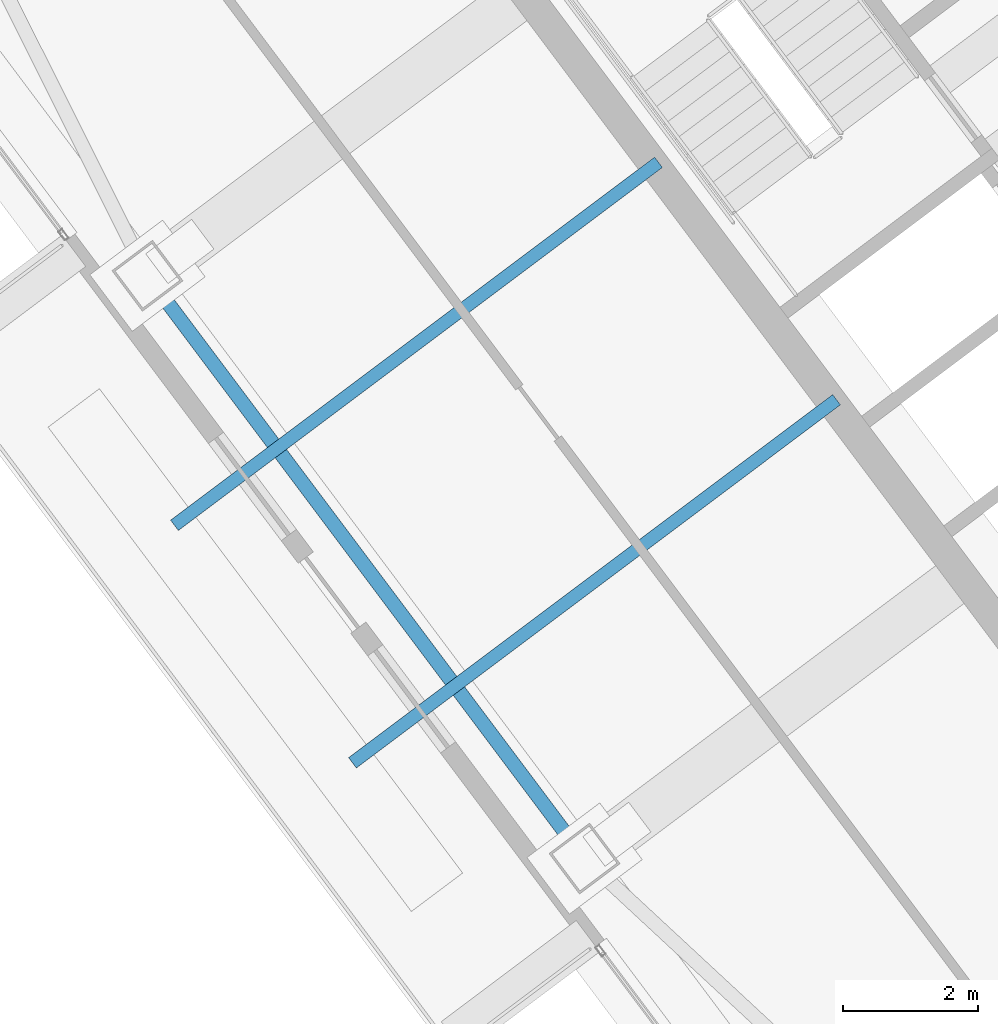
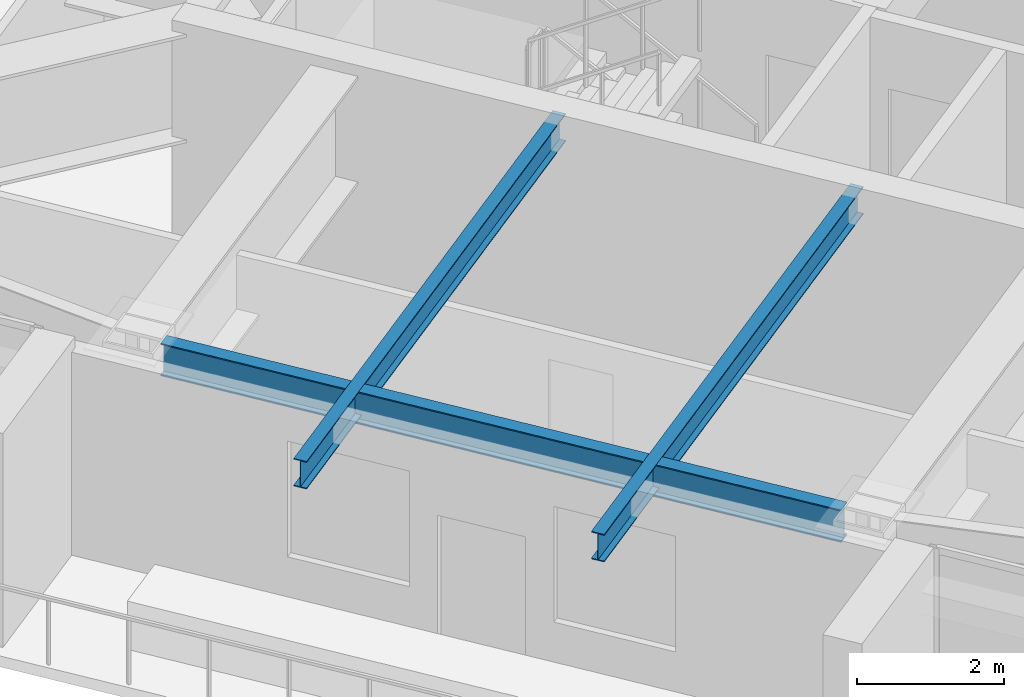
# One storey, part 16 of 40: 3 beams.
"""IFC4 building model written with IfcOpenShell, lengths in metres."""

import ifcopenshell
import ifcopenshell.guid

model = None  # the IFC model being written
_history = None  # IfcOwnerHistory: only IFC2X3 demands one
_inside = {}  # id of a spatial element -> (the spatial element, [elements in it])
_under = {}  # id of a project, library or spatial element -> (it, [spatial elements below it])
_declared = {}  # id of a project -> (the project, [libraries it declares])
_typed = {}  # id of a type object -> (the type object, [elements of that type])
_made_of = {}  # id of a material, layer set ... -> (it, [elements and type objects made of it])


def new_model(schema):
    """Start an empty IFC model of exactly this schema.

    Asked for "IFC4X3", IfcOpenShell would pick the latest addendum, in which some entities
    have other attributes; the version numbers below select the first issue.
    IFC2X3 requires an IfcOwnerHistory on every rooted entity: one is made here for all.
    """
    global model, _history
    if schema == "IFC4X3":
        model = ifcopenshell.file(schema_version=(4, 3, 0, 0))
    else:
        model = ifcopenshell.file(schema=schema)
    _inside.clear()
    _under.clear()
    _declared.clear()
    _typed.clear()
    _made_of.clear()
    _history = None
    if model.schema == "IFC2X3":
        org = make("IfcOrganization", Name="unknown")
        user = make(
            "IfcPersonAndOrganization",
            ThePerson=make("IfcPerson", FamilyName="unknown"),
            TheOrganization=org,
        )
        app = make(
            "IfcApplication",
            ApplicationDeveloper=org,
            Version="unknown",
            ApplicationFullName="unknown",
            ApplicationIdentifier="unknown",
        )
        _history = make(
            "IfcOwnerHistory",
            OwningUser=user,
            OwningApplication=app,
            ChangeAction="ADDED",
            CreationDate=0,
        )
    return model


def make(cls, **values):
    """One entity of the class cls with the attributes given. An attribute that is None is left unset."""
    return model.create_entity(
        cls, **{name: value for name, value in values.items() if value is not None}
    )


def rooted(cls, **values):
    """An entity with a GlobalId (a new one), such as an element, a storey or a relation."""
    return make(cls, GlobalId=ifcopenshell.guid.new(), OwnerHistory=_history, **values)


def si_unit(unit_type, name, prefix=None):
    """IfcSIUnit, for example si_unit("LENGTHUNIT", "METRE", prefix="MILLI")."""
    return make("IfcSIUnit", UnitType=unit_type, Prefix=prefix, Name=name)


def assignment(units):
    """IfcUnitAssignment: the units of a project."""
    return None if units is None else make("IfcUnitAssignment", Units=units)


def point(xyz):
    """IfcCartesianPoint."""
    return None if xyz is None else make("IfcCartesianPoint", Coordinates=xyz)


def direction(xyz):
    """IfcDirection."""
    return None if xyz is None else make("IfcDirection", DirectionRatios=xyz)


def frame(location, z_axis=None, x_axis=None):
    """IfcAxis2Placement3D, a coordinate frame: its origin and axes. An axis left out is left unset."""
    return make(
        "IfcAxis2Placement3D",
        Location=point(location),
        Axis=direction(z_axis),
        RefDirection=direction(x_axis),
    )


def frame_2d(location, x_axis=None):
    """IfcAxis2Placement2D, a coordinate frame in the plane: its origin and x axis."""
    return make(
        "IfcAxis2Placement2D", Location=point(location), RefDirection=direction(x_axis)
    )


def origin():
    """The frame at (0, 0, 0) with its axes left unset."""
    return frame((0.0, 0.0, 0.0))


def origin_2d():
    """The frame at (0, 0) in the plane with its x axis left unset."""
    return frame_2d((0.0, 0.0))


def place(relative_to, where):
    """IfcLocalPlacement: puts the frame where relative to a parent placement (None: the world)."""
    return make(
        "IfcLocalPlacement", PlacementRelTo=relative_to, RelativePlacement=where
    )


def context(
    kind, dimensions, precision=None, world=None, true_north=None, identifier=None
):
    """IfcGeometricRepresentationContext, for example the 3D "Model" context."""
    return make(
        "IfcGeometricRepresentationContext",
        ContextIdentifier=identifier,
        ContextType=kind,
        CoordinateSpaceDimension=dimensions,
        Precision=precision,
        WorldCoordinateSystem=world,
        TrueNorth=true_north,
    )


def subcontext(parent, identifier, kind, view, scale=None):
    """IfcGeometricRepresentationSubContext, for example "Body" below "Model"."""
    return make(
        "IfcGeometricRepresentationSubContext",
        ContextIdentifier=identifier,
        ContextType=kind,
        ParentContext=parent,
        TargetScale=scale,
        TargetView=view,
    )


def project(units=None, contexts=None):
    """IfcProject with its units and contexts."""
    return rooted(
        "IfcProject",
        Name="project",
        RepresentationContexts=contexts,
        UnitsInContext=assignment(units),
    )


def spatial(cls, under=None, at=None, **own):
    """A site, building, storey or space (cls), placed at a placement, below another one or the project."""
    s = rooted(cls, ObjectPlacement=at, **own)
    if under is not None:
        _under.setdefault(under.id(), (under, []))[1].append(s)
    return s


def profile(cls, at=None, kind="AREA", **sizes):
    """A parametric profile (cls). Its sizes go by their IFC names, for example OverallWidth=200.0."""
    return make(cls, ProfileType=kind, Position=at, **sizes)


def i_section(**sizes):
    """IfcIShapeProfileDef."""
    return profile("IfcIShapeProfileDef", **sizes)


def extrude(swept, where, along, depth):
    """IfcExtrudedAreaSolid: the profile swept, set in the frame where, extruded along a direction by depth."""
    return make(
        "IfcExtrudedAreaSolid",
        SweptArea=swept,
        Position=where,
        ExtrudedDirection=direction(along),
        Depth=depth,
    )


def shape(context_of_items, identifier, shape_type, items):
    """IfcShapeRepresentation: the items that make up one representation, for example the "Body"."""
    return make(
        "IfcShapeRepresentation",
        ContextOfItems=context_of_items,
        RepresentationIdentifier=identifier,
        RepresentationType=shape_type,
        Items=items,
    )


def material(Name=None, Category=None):
    """IfcMaterial."""
    return make("IfcMaterial", Name=Name, Category=Category)


def material_profile(
    of_material, cross_section, Name=None, Category=None, Priority=None
):
    """IfcMaterialProfile: a cross section and its material."""
    return make(
        "IfcMaterialProfile",
        Name=Name,
        Material=of_material,
        Profile=cross_section,
        Priority=Priority,
        Category=Category,
    )


def profile_set(profiles, Name=None, composite=None):
    """IfcMaterialProfileSet."""
    return make(
        "IfcMaterialProfileSet",
        Name=Name,
        MaterialProfiles=profiles,
        CompositeProfile=composite,
    )


def made_of(thing, what):
    """Note that an element or type object is made of a material, layer set ...; save() writes the relation."""
    if what is not None:
        _made_of.setdefault(what.id(), (what, []))[1].append(thing)
    return thing


def type_object(cls, material=None, **own):
    """A type object (cls), such as IfcWallType, which elements share."""
    return made_of(rooted(cls, **own), material)


def element(
    cls,
    number,
    at=None,
    inside=None,
    cuts=None,
    type_object=None,
    material=None,
    context=None,
    identifier="Body",
    shape_type=None,
    held_by="IfcProductDefinitionShape",
    body=None,
    shapes=None,
    **own,
):
    """One element of the class cls, such as IfcWall. Its Tag is "e" and its number.

    at: its placement. inside: the storey or other place that contains it. cuts: it is an
    opening in that element (IfcRelVoidsElement). A single representation is given by context,
    identifier, shape_type and body (its items); several are given by shapes. held_by: the class
    of the entity that holds the representations. save() writes the other relations.
    """
    e = rooted(cls, Tag="e%d" % number, ObjectPlacement=at, **own)
    if body is not None:
        shapes = [shape(context, identifier, shape_type, body)]
    if shapes is not None:
        e.Representation = make(held_by, Representations=shapes)
    if inside is not None:
        _inside.setdefault(inside.id(), (inside, []))[1].append(e)
    if cuts is not None:
        rooted(
            "IfcRelVoidsElement", RelatingBuildingElement=cuts, RelatedOpeningElement=e
        )
    if type_object is not None:
        _typed.setdefault(type_object.id(), (type_object, []))[1].append(e)
    return made_of(e, material)


def aggregate(whole, parts):
    """IfcRelAggregates: a whole, such as a stair, and the parts it consists of."""
    return rooted("IfcRelAggregates", RelatingObject=whole, RelatedObjects=parts)


def save(model, path):
    """Write the relations noted so far, then the file.

    IfcRelAggregates (storeys below a building ...), IfcRelContainedInSpatialStructure (elements
    in a storey), IfcRelDefinesByType, IfcRelAssociatesMaterial and IfcRelDeclares: one each for
    every whole, place, type object, material and project.
    """
    for whole, parts in _under.values():
        aggregate(whole, parts)
    for where, things in _inside.values():
        rooted(
            "IfcRelContainedInSpatialStructure",
            RelatedElements=things,
            RelatingStructure=where,
        )
    for kind, things in _typed.values():
        rooted("IfcRelDefinesByType", RelatedObjects=things, RelatingType=kind)
    for what, things in _made_of.values():
        rooted("IfcRelAssociatesMaterial", RelatedObjects=things, RelatingMaterial=what)
    for by, libraries in _declared.values():
        rooted("IfcRelDeclares", RelatingContext=by, RelatedDefinitions=libraries)
    model.write(path)


model = new_model("IFC4")

# Units and contexts
model_context = context("Model", 3, precision=1e-05, world=origin(), true_north=direction((0.0, 1.0)))
body_context = subcontext(model_context, "Body", "Model", "MODEL_VIEW")
ifc_project = project(units=[si_unit("LENGTHUNIT", "METRE"), si_unit("AREAUNIT", "SQUARE_METRE"), si_unit("VOLUMEUNIT", "CUBIC_METRE"), si_unit("PLANEANGLEUNIT", "RADIAN"), si_unit("MASSUNIT", "GRAM", prefix="KILO")], contexts=[model_context])

# Site, building, storey
site_placement = place(None, origin())
site = spatial("IfcSite", under=ifc_project, at=site_placement, CompositionType="ELEMENT")
building_placement = place(site_placement, origin())
building = spatial("IfcBuilding", under=site, at=building_placement, Name="Tashvorn Skyway Center", CompositionType="ELEMENT")
storey_placement = place(building_placement, frame((0.0, 0.0, 229.050048828125)))
storey = spatial("IfcBuildingStorey", under=building, at=storey_placement, Name="L62", CompositionType="ELEMENT", Elevation=229.050048828125)

# Beams
ifc_material = material(Name="Steel ASTM A992 Grade 50", Category="steel")
ifc_material_profile_1 = material_profile(ifc_material, i_section(OverallWidth=0.19091796875, OverallDepth=0.4599609375, WebThickness=0.010009765625, FlangeThickness=0.01611328125, at=origin_2d()), Name="W18X55")
ifc_profile_set_1 = profile_set([ifc_material_profile_1], Name="Steel ASTM A992 Grade 50")
beam_type_1 = type_object("IfcBeamType", Name="BM-JOIST-W18X55", PredefinedType="JOIST", material=ifc_profile_set_1)
for number, where, z_axis, x_axis, name in (
    (1, (109.095947265625, 25.572021484375, 3.139892578125), (-0.799996733918, -0.600004354752, 0.0), (0.600004354752, -0.799996733918, 0.0), "Tower 2 L63 Terrace Cantilever Outlooker 1"),
    (2, (106.4560546875, 29.092041015625, 3.139892578125), (-0.799996733918, -0.600004354752, 0.0), (0.600004354752, -0.799996733918, 0.0), "Tower 2 L63 Terrace Cantilever Outlooker 2"),
):
    element("IfcBeam", number, at=place(storey_placement, frame(where, z_axis=z_axis, x_axis=x_axis)), inside=storey, type_object=beam_type_1, Name=name, PredefinedType="JOIST", context=body_context, shape_type="SweptSolid", body=[
        extrude(i_section(OverallWidth=0.19091796875, OverallDepth=0.4599609375, WebThickness=0.010009765625, FlangeThickness=0.01611328125, at=origin_2d()), origin(), (0.0, 0.0, 1.0), 8.969970703125),
    ])
ifc_material_profile_2 = material_profile(ifc_material, i_section(OverallWidth=0.2109375, OverallDepth=0.5390625, WebThickness=0.01171875, FlangeThickness=0.018798828125, at=origin_2d()), Name="W21X73")
ifc_profile_set_2 = profile_set([ifc_material_profile_2], Name="Steel ASTM A992 Grade 50")
beam_type_2 = type_object("IfcBeamType", Name="BM-SPANDREL-W21X73", PredefinedType="SPANDREL", material=ifc_profile_set_2)
beam_placement = place(storey_placement, frame((99.10205078125, 27.114013671875, 3.100341796875), z_axis=(0.599988351091, -0.800008736549, 0.0), x_axis=(0.800008736549, 0.599988351091, 0.0)))
element("IfcBeam", 3, at=beam_placement, inside=storey, type_object=beam_type_2, Name="Tower 2 L62 Spandrel Beam 11", PredefinedType="SPANDREL", context=body_context, shape_type="SweptSolid", body=[
    extrude(i_section(OverallWidth=0.2109375, OverallDepth=0.5390625, WebThickness=0.01171875, FlangeThickness=0.018798828125, at=origin_2d()), origin(), (0.0, 0.0, 1.0), 10.06005859375),
])

save(model, "model.ifc")
